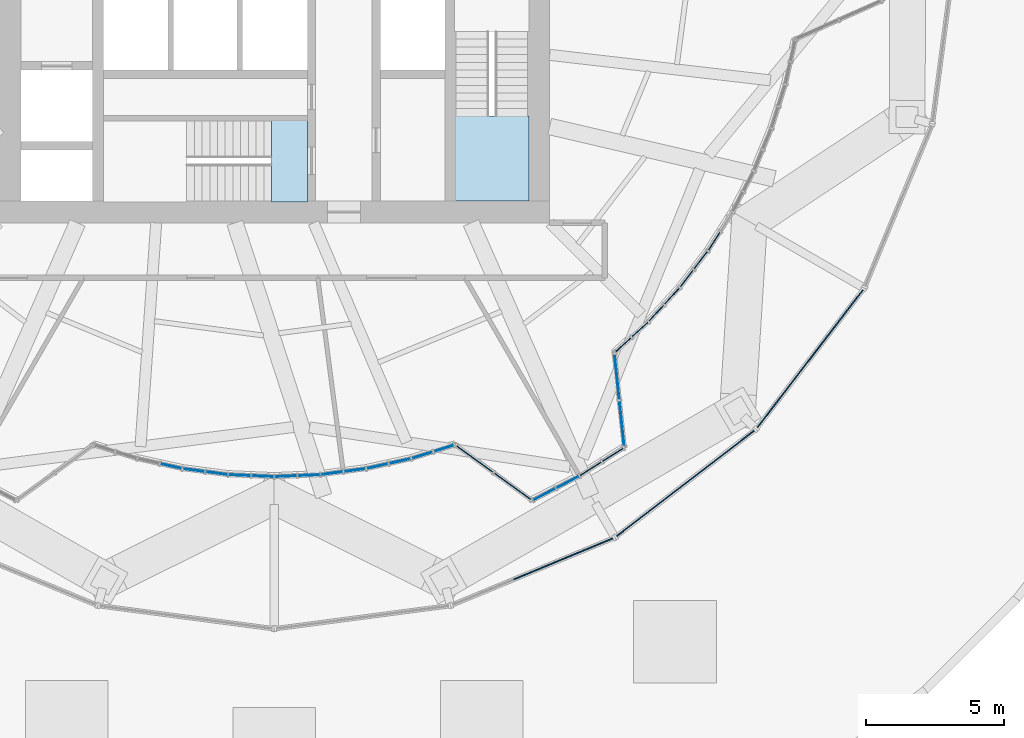
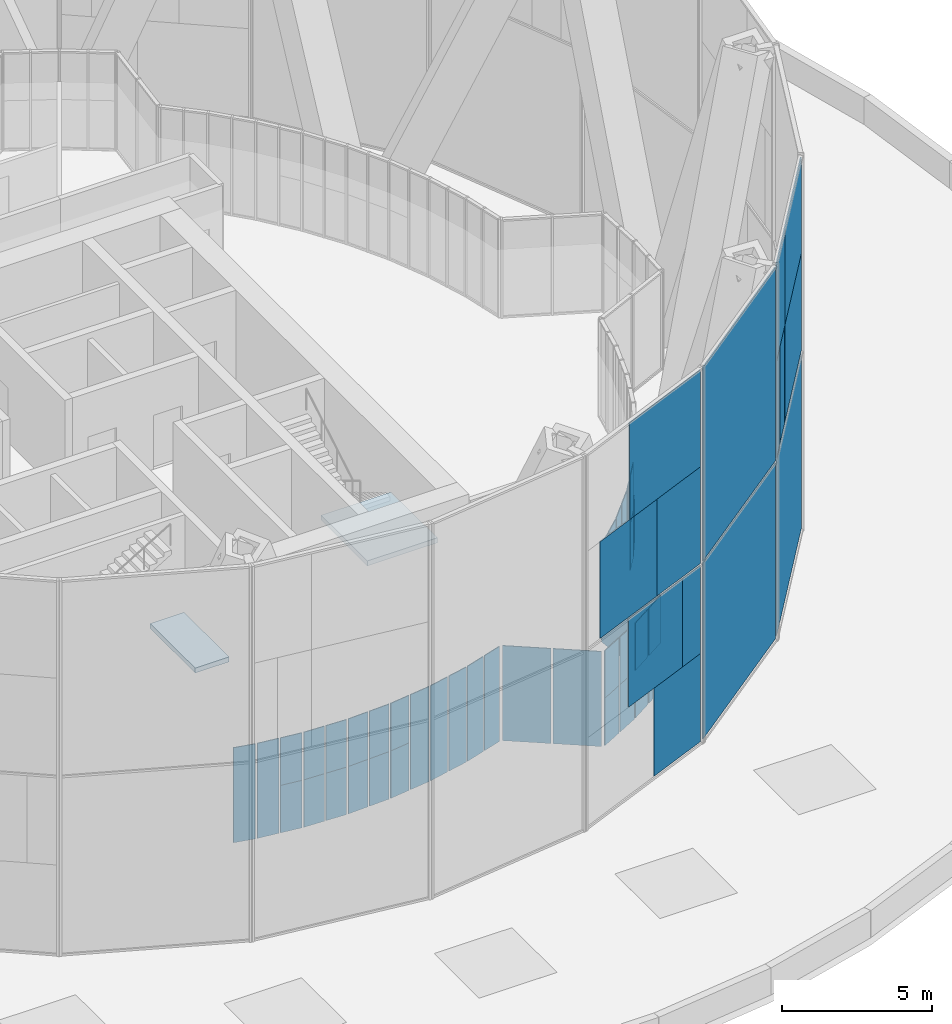
# One storey, part 17 of 27: 53 plates, 2 slabs, 19 elements without a shape of their own.
"""IFC4 building model written with IfcOpenShell, lengths in metres."""

import ifcopenshell
import ifcopenshell.guid

model = None  # the IFC model being written
_history = None  # IfcOwnerHistory: only IFC2X3 demands one
_inside = {}  # id of a spatial element -> (the spatial element, [elements in it])
_under = {}  # id of a project, library or spatial element -> (it, [spatial elements below it])
_declared = {}  # id of a project -> (the project, [libraries it declares])
_typed = {}  # id of a type object -> (the type object, [elements of that type])
_made_of = {}  # id of a material, layer set ... -> (it, [elements and type objects made of it])


def new_model(schema):
    """Start an empty IFC model of exactly this schema.

    Asked for "IFC4X3", IfcOpenShell would pick the latest addendum, in which some entities
    have other attributes; the version numbers below select the first issue.
    IFC2X3 requires an IfcOwnerHistory on every rooted entity: one is made here for all.
    """
    global model, _history
    if schema == "IFC4X3":
        model = ifcopenshell.file(schema_version=(4, 3, 0, 0))
    else:
        model = ifcopenshell.file(schema=schema)
    _inside.clear()
    _under.clear()
    _declared.clear()
    _typed.clear()
    _made_of.clear()
    _history = None
    if model.schema == "IFC2X3":
        org = make("IfcOrganization", Name="unknown")
        user = make(
            "IfcPersonAndOrganization",
            ThePerson=make("IfcPerson", FamilyName="unknown"),
            TheOrganization=org,
        )
        app = make(
            "IfcApplication",
            ApplicationDeveloper=org,
            Version="unknown",
            ApplicationFullName="unknown",
            ApplicationIdentifier="unknown",
        )
        _history = make(
            "IfcOwnerHistory",
            OwningUser=user,
            OwningApplication=app,
            ChangeAction="ADDED",
            CreationDate=0,
        )
    return model


def make(cls, **values):
    """One entity of the class cls with the attributes given. An attribute that is None is left unset."""
    return model.create_entity(
        cls, **{name: value for name, value in values.items() if value is not None}
    )


def rooted(cls, **values):
    """An entity with a GlobalId (a new one), such as an element, a storey or a relation."""
    return make(cls, GlobalId=ifcopenshell.guid.new(), OwnerHistory=_history, **values)


def si_unit(unit_type, name, prefix=None):
    """IfcSIUnit, for example si_unit("LENGTHUNIT", "METRE", prefix="MILLI")."""
    return make("IfcSIUnit", UnitType=unit_type, Prefix=prefix, Name=name)


def assignment(units):
    """IfcUnitAssignment: the units of a project."""
    return None if units is None else make("IfcUnitAssignment", Units=units)


def point(xyz):
    """IfcCartesianPoint."""
    return None if xyz is None else make("IfcCartesianPoint", Coordinates=xyz)


def direction(xyz):
    """IfcDirection."""
    return None if xyz is None else make("IfcDirection", DirectionRatios=xyz)


def frame(location, z_axis=None, x_axis=None):
    """IfcAxis2Placement3D, a coordinate frame: its origin and axes. An axis left out is left unset."""
    return make(
        "IfcAxis2Placement3D",
        Location=point(location),
        Axis=direction(z_axis),
        RefDirection=direction(x_axis),
    )


def frame_2d(location, x_axis=None):
    """IfcAxis2Placement2D, a coordinate frame in the plane: its origin and x axis."""
    return make(
        "IfcAxis2Placement2D", Location=point(location), RefDirection=direction(x_axis)
    )


def origin():
    """The frame at (0, 0, 0) with its axes left unset."""
    return frame((0.0, 0.0, 0.0))


def origin_2d():
    """The frame at (0, 0) in the plane with its x axis left unset."""
    return frame_2d((0.0, 0.0))


def place(relative_to, where):
    """IfcLocalPlacement: puts the frame where relative to a parent placement (None: the world)."""
    return make(
        "IfcLocalPlacement", PlacementRelTo=relative_to, RelativePlacement=where
    )


def context(
    kind, dimensions, precision=None, world=None, true_north=None, identifier=None
):
    """IfcGeometricRepresentationContext, for example the 3D "Model" context."""
    return make(
        "IfcGeometricRepresentationContext",
        ContextIdentifier=identifier,
        ContextType=kind,
        CoordinateSpaceDimension=dimensions,
        Precision=precision,
        WorldCoordinateSystem=world,
        TrueNorth=true_north,
    )


def subcontext(parent, identifier, kind, view, scale=None):
    """IfcGeometricRepresentationSubContext, for example "Body" below "Model"."""
    return make(
        "IfcGeometricRepresentationSubContext",
        ContextIdentifier=identifier,
        ContextType=kind,
        ParentContext=parent,
        TargetScale=scale,
        TargetView=view,
    )


def project(units=None, contexts=None):
    """IfcProject with its units and contexts."""
    return rooted(
        "IfcProject",
        Name="project",
        RepresentationContexts=contexts,
        UnitsInContext=assignment(units),
    )


def spatial(cls, under=None, at=None, **own):
    """A site, building, storey or space (cls), placed at a placement, below another one or the project."""
    s = rooted(cls, ObjectPlacement=at, **own)
    if under is not None:
        _under.setdefault(under.id(), (under, []))[1].append(s)
    return s


def polyline(points):
    """IfcPolyline through the points."""
    return make("IfcPolyline", Points=[point(p) for p in points])


def profile(cls, at=None, kind="AREA", **sizes):
    """A parametric profile (cls). Its sizes go by their IFC names, for example OverallWidth=200.0."""
    return make(cls, ProfileType=kind, Position=at, **sizes)


def rectangle(**sizes):
    """IfcRectangleProfileDef."""
    return profile("IfcRectangleProfileDef", **sizes)


def outline(outer, holes=None, kind="AREA"):
    """IfcArbitraryClosedProfileDef: a profile drawn as a closed curve; with holes, ...WithVoids."""
    if holes is None:
        return make("IfcArbitraryClosedProfileDef", ProfileType=kind, OuterCurve=outer)
    return make(
        "IfcArbitraryProfileDefWithVoids",
        ProfileType=kind,
        OuterCurve=outer,
        InnerCurves=holes,
    )


def extrude(swept, where, along, depth):
    """IfcExtrudedAreaSolid: the profile swept, set in the frame where, extruded along a direction by depth."""
    return make(
        "IfcExtrudedAreaSolid",
        SweptArea=swept,
        Position=where,
        ExtrudedDirection=direction(along),
        Depth=depth,
    )


def shape(context_of_items, identifier, shape_type, items):
    """IfcShapeRepresentation: the items that make up one representation, for example the "Body"."""
    return make(
        "IfcShapeRepresentation",
        ContextOfItems=context_of_items,
        RepresentationIdentifier=identifier,
        RepresentationType=shape_type,
        Items=items,
    )


def material(Name=None, Category=None):
    """IfcMaterial."""
    return make("IfcMaterial", Name=Name, Category=Category)


def layer(
    of_material, thickness, ventilated=None, Name=None, Category=None, Priority=None
):
    """IfcMaterialLayer: one layer of a wall or slab, of a material (None: an air gap)."""
    return make(
        "IfcMaterialLayer",
        Material=of_material,
        LayerThickness=thickness,
        IsVentilated=ventilated,
        Name=Name,
        Category=Category,
        Priority=Priority,
    )


def layer_set(layers, Name=None):
    """IfcMaterialLayerSet."""
    return make("IfcMaterialLayerSet", MaterialLayers=layers, LayerSetName=Name)


def made_of(thing, what):
    """Note that an element or type object is made of a material, layer set ...; save() writes the relation."""
    if what is not None:
        _made_of.setdefault(what.id(), (what, []))[1].append(thing)
    return thing


def type_object(cls, material=None, **own):
    """A type object (cls), such as IfcWallType, which elements share."""
    return made_of(rooted(cls, **own), material)


def element(
    cls,
    number,
    at=None,
    inside=None,
    cuts=None,
    type_object=None,
    material=None,
    context=None,
    identifier="Body",
    shape_type=None,
    held_by="IfcProductDefinitionShape",
    body=None,
    shapes=None,
    **own,
):
    """One element of the class cls, such as IfcWall. Its Tag is "e" and its number.

    at: its placement. inside: the storey or other place that contains it. cuts: it is an
    opening in that element (IfcRelVoidsElement). A single representation is given by context,
    identifier, shape_type and body (its items); several are given by shapes. held_by: the class
    of the entity that holds the representations. save() writes the other relations.
    """
    e = rooted(cls, Tag="e%d" % number, ObjectPlacement=at, **own)
    if body is not None:
        shapes = [shape(context, identifier, shape_type, body)]
    if shapes is not None:
        e.Representation = make(held_by, Representations=shapes)
    if inside is not None:
        _inside.setdefault(inside.id(), (inside, []))[1].append(e)
    if cuts is not None:
        rooted(
            "IfcRelVoidsElement", RelatingBuildingElement=cuts, RelatedOpeningElement=e
        )
    if type_object is not None:
        _typed.setdefault(type_object.id(), (type_object, []))[1].append(e)
    return made_of(e, material)


def aggregate(whole, parts):
    """IfcRelAggregates: a whole, such as a stair, and the parts it consists of."""
    return rooted("IfcRelAggregates", RelatingObject=whole, RelatedObjects=parts)


def save(model, path):
    """Write the relations noted so far, then the file.

    IfcRelAggregates (storeys below a building ...), IfcRelContainedInSpatialStructure (elements
    in a storey), IfcRelDefinesByType, IfcRelAssociatesMaterial and IfcRelDeclares: one each for
    every whole, place, type object, material and project.
    """
    for whole, parts in _under.values():
        aggregate(whole, parts)
    for where, things in _inside.values():
        rooted(
            "IfcRelContainedInSpatialStructure",
            RelatedElements=things,
            RelatingStructure=where,
        )
    for kind, things in _typed.values():
        rooted("IfcRelDefinesByType", RelatedObjects=things, RelatingType=kind)
    for what, things in _made_of.values():
        rooted("IfcRelAssociatesMaterial", RelatedObjects=things, RelatingMaterial=what)
    for by, libraries in _declared.values():
        rooted("IfcRelDeclares", RelatingContext=by, RelatedDefinitions=libraries)
    model.write(path)


model = new_model("IFC4")

# Units and contexts
model_context = context("Model", 3, precision=1e-05, world=origin(), true_north=direction((0.0, 1.0)))
body_context = subcontext(model_context, "Body", "Model", "MODEL_VIEW")
ifc_project = project(units=[si_unit("LENGTHUNIT", "METRE"), si_unit("AREAUNIT", "SQUARE_METRE"), si_unit("VOLUMEUNIT", "CUBIC_METRE"), si_unit("PLANEANGLEUNIT", "RADIAN"), si_unit("MASSUNIT", "GRAM", prefix="KILO")], contexts=[model_context])

# Site, building, storey
site_placement = place(None, origin())
site = spatial("IfcSite", under=ifc_project, at=site_placement, CompositionType="ELEMENT")
building_placement = place(site_placement, origin())
building = spatial("IfcBuilding", under=site, at=building_placement, Name="Golbaran Civic Tower", CompositionType="ELEMENT")
storey_placement = place(building_placement, frame((0.0, 0.0, 21.0)))
storey = spatial("IfcBuildingStorey", under=building, at=storey_placement, Name="L04", CompositionType="ELEMENT", Elevation=21.0)

# Curtain wall, plate
ifc_material_1 = material(Name="Aluminium and glass", Category="aluminium")
curtain_wall_type_1 = type_object("IfcCurtainWallType", Name="INNER SKIN CURTAIN WALL", PredefinedType="NOTDEFINED", material=ifc_material_1)
curtain_wall_1_placement = place(storey_placement, origin())
curtain_wall_1 = element("IfcCurtainWall", 1, at=curtain_wall_1_placement, inside=storey, type_object=curtain_wall_type_1, Name="Inner skin L04 facet 52 CW1", ObjectType="INNER SKIN", PredefinedType="USERDEFINED")
ifc_material_2 = material(Name="Clear insulating glass", Category="glass")
ifc_layer_1 = layer(ifc_material_2, 0.031982421875, Name="Clear insulating glass")
ifc_layer_set_1 = layer_set([ifc_layer_1], Name="Clear insulating glass")
plate_type_1 = type_object("IfcPlateType", Name="INNER SKIN CURTAIN WALL GLAZED PANEL", PredefinedType="CURTAIN_PANEL", material=ifc_layer_set_1)
plate_1_placement = place(storey_placement, frame((-3.745849609375, -18.832275390625, 0.06494140625), z_axis=(0.0, 0.0, 1.0), x_axis=(0.976296007124, -0.216439613921, 0.0)))
plate_1 = element("IfcPlate", 2, at=plate_1_placement, type_object=plate_type_1, Name="CW1 panel 2.1", PredefinedType="CURTAIN_PANEL", context=body_context, shape_type="SweptSolid", body=[
    extrude(rectangle(XDim=0.773193359375, YDim=0.031982421875, at=origin_2d()), origin(), (0.0, 0.0, 1.0), 3.8701171875),
])
aggregate(curtain_wall_1, [plate_1])

curtain_wall_2_placement = place(storey_placement, origin())
curtain_wall_2 = element("IfcCurtainWall", 3, at=curtain_wall_2_placement, inside=storey, type_object=curtain_wall_type_1, Name="Inner skin L04 facet 53 CW1", ObjectType="INNER SKIN", PredefinedType="USERDEFINED")
plate_2_placement = place(storey_placement, frame((-2.921142578125, -18.977783203125, 0.06494140625), z_axis=(0.0, 0.0, 1.0), x_axis=(0.991444861351, -0.130526192393, 0.0)))
plate_2 = element("IfcPlate", 4, at=plate_2_placement, type_object=plate_type_1, Name="CW1 panel 1.1", PredefinedType="CURTAIN_PANEL", context=body_context, shape_type="SweptSolid", body=[
    extrude(rectangle(XDim=0.773193359375, YDim=0.031982421875, at=origin_2d()), origin(), (0.0, 0.0, 1.0), 3.8701171875),
])

curtain_wall_3_placement = place(storey_placement, origin())
curtain_wall_3 = element("IfcCurtainWall", 5, at=curtain_wall_3_placement, inside=storey, type_object=curtain_wall_type_1, Name="Inner skin L04 facet 56 CW1", ObjectType="INNER SKIN", PredefinedType="USERDEFINED")
plate_3_placement = place(storey_placement, frame((2.921142578125, -18.977783203125, 0.06494140625), z_axis=(0.0, 0.0, 1.0), x_axis=(0.991444861351, 0.130526192393, 0.0)))
plate_3 = element("IfcPlate", 6, at=plate_3_placement, type_object=plate_type_1, Name="CW1 panel 2.1", PredefinedType="CURTAIN_PANEL", context=body_context, shape_type="SweptSolid", body=[
    extrude(rectangle(XDim=0.773193359375, YDim=0.031982421875, at=origin_2d()), origin(), (0.0, 0.0, 1.0), 3.8701171875),
])

# Curtain wall, plates
curtain_wall_4_placement = place(storey_placement, origin())
curtain_wall_4 = element("IfcCurtainWall", 7, at=curtain_wall_4_placement, inside=storey, type_object=curtain_wall_type_1, Name="Inner skin L04 facet 57 CW1", ObjectType="INNER SKIN", PredefinedType="USERDEFINED")
plate_4_placement = place(storey_placement, frame((3.745849609375, -18.832275390625, 0.06494140625), z_axis=(0.0, 0.0, 1.0), x_axis=(0.976296007124, 0.216439613921, 0.0)))
plate_4 = element("IfcPlate", 8, at=plate_4_placement, type_object=plate_type_1, Name="CW1 panel 1.1", PredefinedType="CURTAIN_PANEL", context=body_context, shape_type="SweptSolid", body=[
    extrude(rectangle(XDim=0.773193359375, YDim=0.031982421875, at=origin_2d()), origin(), (0.0, 0.0, 1.0), 3.8701171875),
])
plate_5_placement = place(storey_placement, frame((4.56396484375, -18.65087890625, 0.06494140625), z_axis=(0.0, 0.0, 1.0), x_axis=(0.976296007124, 0.216439613921, 0.0)))
plate_5 = element("IfcPlate", 9, at=plate_5_placement, type_object=plate_type_1, Name="CW1 panel 2.1", PredefinedType="CURTAIN_PANEL", context=body_context, shape_type="SweptSolid", body=[
    extrude(rectangle(XDim=0.773193359375, YDim=0.031982421875, at=origin_2d()), origin(), (0.0, 0.0, 1.0), 3.8701171875),
])
aggregate(curtain_wall_4, [plate_4, plate_5])

curtain_wall_5_placement = place(storey_placement, origin())
curtain_wall_5 = element("IfcCurtainWall", 10, at=curtain_wall_5_placement, inside=storey, type_object=curtain_wall_type_1, Name="Inner skin L04 facet 58 CW1", ObjectType="INNER SKIN", PredefinedType="USERDEFINED")
plate_6_placement = place(storey_placement, frame((5.372802734375, -18.434326171875, 0.06494140625), z_axis=(0.0, 0.0, 1.0), x_axis=(0.953716950685, 0.300705799704, 0.0)))
plate_6 = element("IfcPlate", 11, at=plate_6_placement, type_object=plate_type_1, Name="CW1 panel 1.1", PredefinedType="CURTAIN_PANEL", context=body_context, shape_type="SweptSolid", body=[
    extrude(rectangle(XDim=0.773193359375, YDim=0.031982421875, at=origin_2d()), origin(), (0.0, 0.0, 1.0), 3.8701171875),
])
plate_7_placement = place(storey_placement, frame((6.15673828125, -18.18701171875, 0.06494140625), z_axis=(0.0, 0.0, 1.0), x_axis=(0.953716950685, 0.300705799704, 0.0)))
plate_7 = element("IfcPlate", 12, at=plate_7_placement, type_object=plate_type_1, Name="CW1 panel 2.1", PredefinedType="CURTAIN_PANEL", context=body_context, shape_type="SweptSolid", body=[
    extrude(rectangle(XDim=0.74072265625, YDim=0.031982421875, at=origin_2d()), origin(), (0.0, 0.0, 1.0), 3.8701171875),
])
aggregate(curtain_wall_5, [plate_6, plate_7])

curtain_wall_6_placement = place(storey_placement, origin())
curtain_wall_6 = element("IfcCurtainWall", 13, at=curtain_wall_6_placement, inside=storey, type_object=curtain_wall_type_1, Name="Inner skin L04 facet 59 CW1", ObjectType="INNER SKIN", PredefinedType="USERDEFINED")
plate_8_placement = place(storey_placement, frame((7.283447265625, -18.57275390625, 0.06494140625), z_axis=(0.0, 0.0, 1.0), x_axis=(0.809274136458, -0.587431163679, 0.0)))
plate_8 = element("IfcPlate", 14, at=plate_8_placement, type_object=plate_type_1, Name="CW1 panel 1.1", PredefinedType="CURTAIN_PANEL", context=body_context, shape_type="SweptSolid", body=[
    extrude(rectangle(XDim=1.62841796875, YDim=0.031982421875, at=origin_2d()), origin(), (0.0, 0.0, 1.0), 3.8701171875),
])
plate_9_placement = place(storey_placement, frame((8.65380859375, -19.5673828125, 0.06494140625), z_axis=(0.0, 0.0, 1.0), x_axis=(0.809274136458, -0.587431163679, 0.0)))
plate_9 = element("IfcPlate", 15, at=plate_9_placement, type_object=plate_type_1, Name="CW1 panel 2.1", PredefinedType="CURTAIN_PANEL", context=body_context, shape_type="SweptSolid", body=[
    extrude(rectangle(XDim=1.62841796875, YDim=0.031982421875, at=origin_2d()), origin(), (0.0, 0.0, 1.0), 3.8701171875),
])
aggregate(curtain_wall_6, [plate_8, plate_9])

curtain_wall_7_placement = place(storey_placement, origin())
curtain_wall_7 = element("IfcCurtainWall", 16, at=curtain_wall_7_placement, inside=storey, type_object=curtain_wall_type_1, Name="Inner skin L04 facet 62 CW1", ObjectType="INNER SKIN", PredefinedType="USERDEFINED")
plate_10_placement = place(storey_placement, frame((12.618896484375, -17.278076171875, 0.06494140625), z_axis=(0.0, 0.0, 1.0), x_axis=(-0.104093242509, 0.994567542635, 0.0)))
plate_10 = element("IfcPlate", 17, at=plate_10_placement, type_object=plate_type_1, Name="CW1 panel 1.1", PredefinedType="CURTAIN_PANEL", context=body_context, shape_type="SweptSolid", body=[
    extrude(rectangle(XDim=1.62841796875, YDim=0.031982421875, at=origin_2d()), origin(), (0.0, 0.0, 1.0), 3.8701171875),
])
plate_11_placement = place(storey_placement, frame((12.442626953125, -15.593994140625, 0.06494140625), z_axis=(0.0, 0.0, 1.0), x_axis=(-0.104093242509, 0.994567542635, 0.0)))
plate_11 = element("IfcPlate", 18, at=plate_11_placement, type_object=plate_type_1, Name="CW1 panel 2.1", PredefinedType="CURTAIN_PANEL", context=body_context, shape_type="SweptSolid", body=[
    extrude(rectangle(XDim=1.62841796875, YDim=0.031982421875, at=origin_2d()), origin(), (0.0, 0.0, 1.0), 3.8701171875),
])
aggregate(curtain_wall_7, [plate_10, plate_11])

curtain_wall_8_placement = place(storey_placement, origin())
curtain_wall_8 = element("IfcCurtainWall", 19, at=curtain_wall_8_placement, inside=storey, type_object=curtain_wall_type_1, Name="Inner skin L04 facet 63 CW1", ObjectType="INNER SKIN", PredefinedType="USERDEFINED")
plate_12_placement = place(storey_placement, frame((12.672119140625, -14.425537109375, 0.06494140625), z_axis=(0.0, 0.0, 1.0), x_axis=(0.737277336421, 0.67559020804, 0.0)))
plate_12 = element("IfcPlate", 20, at=plate_12_placement, type_object=plate_type_1, Name="CW1 panel 1.1", PredefinedType="CURTAIN_PANEL", context=body_context, shape_type="SweptSolid", body=[
    extrude(rectangle(XDim=0.74072265625, YDim=0.031982421875, at=origin_2d()), origin(), (0.0, 0.0, 1.0), 3.8701171875),
])
plate_13_placement = place(storey_placement, frame((13.278076171875, -13.8701171875, 0.06494140625), z_axis=(0.0, 0.0, 1.0), x_axis=(0.737277336421, 0.67559020804, 0.0)))
plate_13 = element("IfcPlate", 21, at=plate_13_placement, type_object=plate_type_1, Name="CW1 panel 2.1", PredefinedType="CURTAIN_PANEL", context=body_context, shape_type="SweptSolid", body=[
    extrude(rectangle(XDim=0.773193359375, YDim=0.031982421875, at=origin_2d()), origin(), (0.0, 0.0, 1.0), 3.8701171875),
])
aggregate(curtain_wall_8, [plate_12, plate_13])

curtain_wall_9_placement = place(storey_placement, origin())
curtain_wall_9 = element("IfcCurtainWall", 22, at=curtain_wall_9_placement, inside=storey, type_object=curtain_wall_type_1, Name="Inner skin L04 facet 64 CW1", ObjectType="INNER SKIN", PredefinedType="USERDEFINED")
plate_14_placement = place(storey_placement, frame((13.8701171875, -13.278076171875, 0.06494140625), z_axis=(0.0, 0.0, 1.0), x_axis=(0.67559020804, 0.737277336421, 0.0)))
plate_14 = element("IfcPlate", 23, at=plate_14_placement, type_object=plate_type_1, Name="CW1 panel 1.1", PredefinedType="CURTAIN_PANEL", context=body_context, shape_type="SweptSolid", body=[
    extrude(rectangle(XDim=0.773193359375, YDim=0.031982421875, at=origin_2d()), origin(), (0.0, 0.0, 1.0), 3.8701171875),
])
plate_15_placement = place(storey_placement, frame((14.4365234375, -12.66015625, 0.06494140625), z_axis=(0.0, 0.0, 1.0), x_axis=(0.67559020804, 0.737277336421, 0.0)))
plate_15 = element("IfcPlate", 24, at=plate_15_placement, type_object=plate_type_1, Name="CW1 panel 2.1", PredefinedType="CURTAIN_PANEL", context=body_context, shape_type="SweptSolid", body=[
    extrude(rectangle(XDim=0.773193359375, YDim=0.031982421875, at=origin_2d()), origin(), (0.0, 0.0, 1.0), 3.8701171875),
])
aggregate(curtain_wall_9, [plate_14, plate_15])

# Curtain wall, plate
curtain_wall_10_placement = place(storey_placement, origin())
curtain_wall_10 = element("IfcCurtainWall", 25, at=curtain_wall_10_placement, inside=storey, type_object=curtain_wall_type_1, Name="Inner skin L04 facet 65 CW1", ObjectType="INNER SKIN", PredefinedType="USERDEFINED")
plate_16_placement = place(storey_placement, frame((14.974609375, -12.018798828125, 0.06494140625), z_axis=(0.0, 0.0, 1.0), x_axis=(0.608761428718, 0.793353340514, 0.0)))
plate_16 = element("IfcPlate", 26, at=plate_16_placement, type_object=plate_type_1, Name="CW1 panel 1.1", PredefinedType="CURTAIN_PANEL", context=body_context, shape_type="SweptSolid", body=[
    extrude(rectangle(XDim=0.773193359375, YDim=0.031982421875, at=origin_2d()), origin(), (0.0, 0.0, 1.0), 3.8701171875),
])

# Plate
ifc_material_3 = material(Name="Aluminium faced opaque infill panel", Category="aluminium")
ifc_layer_2 = layer(ifc_material_3, 0.031982421875, Name="Aluminium faced opaque infill panel")
ifc_layer_set_2 = layer_set([ifc_layer_2], Name="Aluminium faced opaque infill panel")
plate_type_2 = type_object("IfcPlateType", Name="INNER SKIN CURTAIN WALL OPAQUE INFILL PANEL", PredefinedType="CURTAIN_PANEL", material=ifc_layer_set_2)
plate_17_placement = place(storey_placement, frame((-2.090087890625, -19.087158203125, 0.06494140625), z_axis=(0.0, 0.0, 1.0), x_axis=(0.991444861351, -0.130526192393, 0.0)))
plate_17 = element("IfcPlate", 27, at=plate_17_placement, type_object=plate_type_2, Name="CW1 infill panel 2.1 part 1", PredefinedType="CURTAIN_PANEL", context=body_context, shape_type="SweptSolid", body=[
    extrude(rectangle(XDim=0.773193359375, YDim=0.031982421875, at=origin_2d()), origin(), (0.0, 0.0, 1.0), 1.93505859375),
])

plate_18_placement = place(storey_placement, frame((-2.090087890625, -19.087158203125, 2.0), z_axis=(0.0, 0.0, 1.0), x_axis=(0.991444861351, -0.130526192393, 0.0)))
plate_18 = element("IfcPlate", 28, at=plate_18_placement, type_object=plate_type_2, Name="CW1 infill panel 2.1 part 2", PredefinedType="CURTAIN_PANEL", context=body_context, shape_type="SweptSolid", body=[
    extrude(rectangle(XDim=0.773193359375, YDim=0.031982421875, at=origin_2d()), origin(), (0.0, 0.0, 1.0), 1.93505859375),
])

aggregate(curtain_wall_2, [plate_2, plate_17, plate_18])

# Curtain wall, plates
curtain_wall_11_placement = place(storey_placement, origin())
curtain_wall_11 = element("IfcCurtainWall", 29, at=curtain_wall_11_placement, inside=storey, type_object=curtain_wall_type_1, Name="Inner skin L04 facet 54 CW1", ObjectType="INNER SKIN", PredefinedType="USERDEFINED")
plate_19_placement = place(storey_placement, frame((-1.256103515625, -19.16015625, 0.06494140625), z_axis=(0.0, 0.0, 1.0), x_axis=(0.999048221586, -0.043619387261, 0.0)))
plate_19 = element("IfcPlate", 30, at=plate_19_placement, type_object=plate_type_2, Name="CW1 infill panel 1.1 part 1", PredefinedType="CURTAIN_PANEL", context=body_context, shape_type="SweptSolid", body=[
    extrude(rectangle(XDim=0.773193359375, YDim=0.031982421875, at=origin_2d()), origin(), (0.0, 0.0, 1.0), 1.93505859375),
])
plate_20_placement = place(storey_placement, frame((-1.256103515625, -19.16015625, 2.0), z_axis=(0.0, 0.0, 1.0), x_axis=(0.999048221586, -0.043619387261, 0.0)))
plate_20 = element("IfcPlate", 31, at=plate_20_placement, type_object=plate_type_2, Name="CW1 infill panel 1.1 part 2", PredefinedType="CURTAIN_PANEL", context=body_context, shape_type="SweptSolid", body=[
    extrude(rectangle(XDim=0.773193359375, YDim=0.031982421875, at=origin_2d()), origin(), (0.0, 0.0, 1.0), 1.93505859375),
])
plate_21_placement = place(storey_placement, frame((-0.418701171875, -19.19677734375, 0.06494140625), z_axis=(0.0, 0.0, 1.0), x_axis=(0.999048221586, -0.043619387261, 0.0)))
plate_21 = element("IfcPlate", 32, at=plate_21_placement, type_object=plate_type_2, Name="CW1 infill panel 2.1 part 1", PredefinedType="CURTAIN_PANEL", context=body_context, shape_type="SweptSolid", body=[
    extrude(rectangle(XDim=0.773193359375, YDim=0.031982421875, at=origin_2d()), origin(), (0.0, 0.0, 1.0), 1.93505859375),
])
plate_22_placement = place(storey_placement, frame((-0.418701171875, -19.19677734375, 2.0), z_axis=(0.0, 0.0, 1.0), x_axis=(0.999048221586, -0.043619387261, 0.0)))
plate_22 = element("IfcPlate", 33, at=plate_22_placement, type_object=plate_type_2, Name="CW1 infill panel 2.1 part 2", PredefinedType="CURTAIN_PANEL", context=body_context, shape_type="SweptSolid", body=[
    extrude(rectangle(XDim=0.773193359375, YDim=0.031982421875, at=origin_2d()), origin(), (0.0, 0.0, 1.0), 1.93505859375),
])
aggregate(curtain_wall_11, [plate_19, plate_20, plate_21, plate_22])

curtain_wall_12_placement = place(storey_placement, origin())
curtain_wall_12 = element("IfcCurtainWall", 34, at=curtain_wall_12_placement, inside=storey, type_object=curtain_wall_type_1, Name="Inner skin L04 facet 55 CW1", ObjectType="INNER SKIN", PredefinedType="USERDEFINED")
plate_23_placement = place(storey_placement, frame((0.418701171875, -19.19677734375, 0.06494140625), z_axis=(0.0, 0.0, 1.0), x_axis=(0.999048221586, 0.043619387261, 0.0)))
plate_23 = element("IfcPlate", 35, at=plate_23_placement, type_object=plate_type_2, Name="CW1 infill panel 1.1 part 1", PredefinedType="CURTAIN_PANEL", context=body_context, shape_type="SweptSolid", body=[
    extrude(rectangle(XDim=0.773193359375, YDim=0.031982421875, at=origin_2d()), origin(), (0.0, 0.0, 1.0), 1.93505859375),
])
plate_24_placement = place(storey_placement, frame((0.418701171875, -19.19677734375, 2.0), z_axis=(0.0, 0.0, 1.0), x_axis=(0.999048221586, 0.043619387261, 0.0)))
plate_24 = element("IfcPlate", 36, at=plate_24_placement, type_object=plate_type_2, Name="CW1 infill panel 1.1 part 2", PredefinedType="CURTAIN_PANEL", context=body_context, shape_type="SweptSolid", body=[
    extrude(rectangle(XDim=0.773193359375, YDim=0.031982421875, at=origin_2d()), origin(), (0.0, 0.0, 1.0), 1.93505859375),
])
plate_25_placement = place(storey_placement, frame((1.256103515625, -19.16015625, 0.06494140625), z_axis=(0.0, 0.0, 1.0), x_axis=(0.999048221586, 0.043619387261, 0.0)))
plate_25 = element("IfcPlate", 37, at=plate_25_placement, type_object=plate_type_2, Name="CW1 infill panel 2.1 part 1", PredefinedType="CURTAIN_PANEL", context=body_context, shape_type="SweptSolid", body=[
    extrude(rectangle(XDim=0.773193359375, YDim=0.031982421875, at=origin_2d()), origin(), (0.0, 0.0, 1.0), 1.93505859375),
])
plate_26_placement = place(storey_placement, frame((1.256103515625, -19.16015625, 2.0), z_axis=(0.0, 0.0, 1.0), x_axis=(0.999048221586, 0.043619387261, 0.0)))
plate_26 = element("IfcPlate", 38, at=plate_26_placement, type_object=plate_type_2, Name="CW1 infill panel 2.1 part 2", PredefinedType="CURTAIN_PANEL", context=body_context, shape_type="SweptSolid", body=[
    extrude(rectangle(XDim=0.773193359375, YDim=0.031982421875, at=origin_2d()), origin(), (0.0, 0.0, 1.0), 1.93505859375),
])
aggregate(curtain_wall_12, [plate_23, plate_24, plate_25, plate_26])

# Plate
plate_27_placement = place(storey_placement, frame((2.090087890625, -19.087158203125, 0.06494140625), z_axis=(0.0, 0.0, 1.0), x_axis=(0.991444861351, 0.130526192393, 0.0)))
plate_27 = element("IfcPlate", 39, at=plate_27_placement, type_object=plate_type_2, Name="CW1 infill panel 1.1 part 1", PredefinedType="CURTAIN_PANEL", context=body_context, shape_type="SweptSolid", body=[
    extrude(rectangle(XDim=0.773193359375, YDim=0.031982421875, at=origin_2d()), origin(), (0.0, 0.0, 1.0), 1.93505859375),
])

plate_28_placement = place(storey_placement, frame((2.090087890625, -19.087158203125, 2.0), z_axis=(0.0, 0.0, 1.0), x_axis=(0.991444861351, 0.130526192393, 0.0)))
plate_28 = element("IfcPlate", 40, at=plate_28_placement, type_object=plate_type_2, Name="CW1 infill panel 1.1 part 2", PredefinedType="CURTAIN_PANEL", context=body_context, shape_type="SweptSolid", body=[
    extrude(rectangle(XDim=0.773193359375, YDim=0.031982421875, at=origin_2d()), origin(), (0.0, 0.0, 1.0), 1.93505859375),
])

aggregate(curtain_wall_3, [plate_27, plate_28, plate_3])

# Curtain wall, plates
curtain_wall_13_placement = place(storey_placement, origin())
curtain_wall_13 = element("IfcCurtainWall", 41, at=curtain_wall_13_placement, inside=storey, type_object=curtain_wall_type_1, Name="Inner skin L04 facet 60 CW1", ObjectType="INNER SKIN", PredefinedType="USERDEFINED")
plate_29_placement = place(storey_placement, frame((9.808349609375, -19.85302734375, 0.06494140625), z_axis=(0.0, 0.0, 1.0), x_axis=(0.88701083317, 0.461748613251, 0.0)))
plate_29 = element("IfcPlate", 42, at=plate_29_placement, type_object=plate_type_2, Name="CW1 infill panel 1.1 part 1", PredefinedType="CURTAIN_PANEL", context=body_context, shape_type="SweptSolid", body=[
    extrude(rectangle(XDim=0.869140625, YDim=0.031982421875, at=origin_2d()), origin(), (0.0, 0.0, 1.0), 1.93505859375),
])
plate_30_placement = place(storey_placement, frame((9.808349609375, -19.85302734375, 2.0), z_axis=(0.0, 0.0, 1.0), x_axis=(0.88701083317, 0.461748613251, 0.0)))
plate_30 = element("IfcPlate", 43, at=plate_30_placement, type_object=plate_type_2, Name="CW1 infill panel 1.1 part 2", PredefinedType="CURTAIN_PANEL", context=body_context, shape_type="SweptSolid", body=[
    extrude(rectangle(XDim=0.869140625, YDim=0.031982421875, at=origin_2d()), origin(), (0.0, 0.0, 1.0), 1.93505859375),
])
plate_31_placement = place(storey_placement, frame((10.6513671875, -19.414306640625, 0.06494140625), z_axis=(0.0, 0.0, 1.0), x_axis=(0.88701083317, 0.461748613251, 0.0)))
plate_31 = element("IfcPlate", 44, at=plate_31_placement, type_object=plate_type_2, Name="CW1 infill panel 2.1 part 1", PredefinedType="CURTAIN_PANEL", context=body_context, shape_type="SweptSolid", body=[
    extrude(rectangle(XDim=0.901611328125, YDim=0.031982421875, at=origin_2d()), origin(), (0.0, 0.0, 1.0), 1.93505859375),
])
plate_32_placement = place(storey_placement, frame((10.6513671875, -19.414306640625, 2.0), z_axis=(0.0, 0.0, 1.0), x_axis=(0.88701083317, 0.461748613251, 0.0)))
plate_32 = element("IfcPlate", 45, at=plate_32_placement, type_object=plate_type_2, Name="CW1 infill panel 2.1 part 2", PredefinedType="CURTAIN_PANEL", context=body_context, shape_type="SweptSolid", body=[
    extrude(rectangle(XDim=0.901611328125, YDim=0.031982421875, at=origin_2d()), origin(), (0.0, 0.0, 1.0), 1.93505859375),
])
aggregate(curtain_wall_13, [plate_29, plate_30, plate_31, plate_32])

curtain_wall_14_placement = place(storey_placement, origin())
curtain_wall_14 = element("IfcCurtainWall", 46, at=curtain_wall_14_placement, inside=storey, type_object=curtain_wall_type_1, Name="Inner skin L04 facet 61 CW1", ObjectType="INNER SKIN", PredefinedType="USERDEFINED")
plate_33_placement = place(storey_placement, frame((11.487548828125, -18.931396484375, 0.06494140625), z_axis=(0.0, 0.0, 1.0), x_axis=(0.843391445747, 0.53729960845, 0.0)))
plate_33 = element("IfcPlate", 47, at=plate_33_placement, type_object=plate_type_2, Name="CW1 infill panel 1.1 part 1", PredefinedType="CURTAIN_PANEL", context=body_context, shape_type="SweptSolid", body=[
    extrude(rectangle(XDim=0.901611328125, YDim=0.031982421875, at=origin_2d()), origin(), (0.0, 0.0, 1.0), 1.93505859375),
])
plate_34_placement = place(storey_placement, frame((11.487548828125, -18.931396484375, 2.0), z_axis=(0.0, 0.0, 1.0), x_axis=(0.843391445747, 0.53729960845, 0.0)))
plate_34 = element("IfcPlate", 48, at=plate_34_placement, type_object=plate_type_2, Name="CW1 infill panel 1.1 part 2", PredefinedType="CURTAIN_PANEL", context=body_context, shape_type="SweptSolid", body=[
    extrude(rectangle(XDim=0.901611328125, YDim=0.031982421875, at=origin_2d()), origin(), (0.0, 0.0, 1.0), 1.93505859375),
])
plate_35_placement = place(storey_placement, frame((12.2890625, -18.4208984375, 0.06494140625), z_axis=(0.0, 0.0, 1.0), x_axis=(0.843391445747, 0.53729960845, 0.0)))
plate_35 = element("IfcPlate", 49, at=plate_35_placement, type_object=plate_type_2, Name="CW1 infill panel 2.1 part 1", PredefinedType="CURTAIN_PANEL", context=body_context, shape_type="SweptSolid", body=[
    extrude(rectangle(XDim=0.869140625, YDim=0.031982421875, at=origin_2d()), origin(), (0.0, 0.0, 1.0), 1.93505859375),
])
plate_36_placement = place(storey_placement, frame((12.2890625, -18.4208984375, 2.0), z_axis=(0.0, 0.0, 1.0), x_axis=(0.843391445747, 0.53729960845, 0.0)))
plate_36 = element("IfcPlate", 50, at=plate_36_placement, type_object=plate_type_2, Name="CW1 infill panel 2.1 part 2", PredefinedType="CURTAIN_PANEL", context=body_context, shape_type="SweptSolid", body=[
    extrude(rectangle(XDim=0.869140625, YDim=0.031982421875, at=origin_2d()), origin(), (0.0, 0.0, 1.0), 1.93505859375),
])
aggregate(curtain_wall_14, [plate_33, plate_34, plate_35, plate_36])

# Plate
plate_37_placement = place(storey_placement, frame((15.48486328125, -11.353759765625, 0.06494140625), z_axis=(0.0, 0.0, 1.0), x_axis=(0.608761428718, 0.793353340514, 0.0)))
plate_37 = element("IfcPlate", 51, at=plate_37_placement, type_object=plate_type_2, Name="CW1 infill panel 2.1 part 1", PredefinedType="CURTAIN_PANEL", context=body_context, shape_type="SweptSolid", body=[
    extrude(rectangle(XDim=0.773193359375, YDim=0.031982421875, at=origin_2d()), origin(), (0.0, 0.0, 1.0), 1.93505859375),
])

plate_38_placement = place(storey_placement, frame((15.48486328125, -11.353759765625, 2.0), z_axis=(0.0, 0.0, 1.0), x_axis=(0.608761428718, 0.793353340514, 0.0)))
plate_38 = element("IfcPlate", 52, at=plate_38_placement, type_object=plate_type_2, Name="CW1 infill panel 2.1 part 2", PredefinedType="CURTAIN_PANEL", context=body_context, shape_type="SweptSolid", body=[
    extrude(rectangle(XDim=0.773193359375, YDim=0.031982421875, at=origin_2d()), origin(), (0.0, 0.0, 1.0), 1.93505859375),
])

aggregate(curtain_wall_10, [plate_16, plate_37, plate_38])

# Curtain wall, plate
curtain_wall_15_placement = place(storey_placement, origin())
curtain_wall_15 = element("IfcCurtainWall", 53, at=curtain_wall_15_placement, inside=storey, type_object=curtain_wall_type_1, Name="Inner skin L04 facet 66 CW1", ObjectType="INNER SKIN", PredefinedType="USERDEFINED")
plate_39_placement = place(storey_placement, frame((15.965087890625, -10.667724609375, 0.06494140625), z_axis=(0.0, 0.0, 1.0), x_axis=(0.537299608597, 0.843391445653, 0.0)))
plate_39 = element("IfcPlate", 54, at=plate_39_placement, type_object=plate_type_2, Name="CW1 infill panel 1.1 part 1", PredefinedType="CURTAIN_PANEL", context=body_context, shape_type="SweptSolid", body=[
    extrude(rectangle(XDim=0.773193359375, YDim=0.031982421875, at=origin_2d()), origin(), (0.0, 0.0, 1.0), 1.93505859375),
])
aggregate(curtain_wall_15, [plate_39])

# Curtain wall, plates
curtain_wall_type_2 = type_object("IfcCurtainWallType", Name="OUTER SKIN TERRACOTTA SCREEN", PredefinedType="NOTDEFINED", material=ifc_material_1)
curtain_wall_16_placement = place(storey_placement, origin())
curtain_wall_16 = element("IfcCurtainWall", 55, at=curtain_wall_16_placement, inside=storey, type_object=curtain_wall_type_2, Name="Outer skin L04 facet 20 CW3", ObjectType="OUTER SKIN", PredefinedType="USERDEFINED")
ifc_material_4 = material(Name="Clear laminated glass", Category="glass")
ifc_layer_3 = layer(ifc_material_4, 0.0400390625, Name="Clear laminated glass")
ifc_layer_set_3 = layer_set([ifc_layer_3], Name="Clear laminated glass")
plate_type_3 = type_object("IfcPlateType", Name="OUTER SKIN CLEAR GLASS PANEL", PredefinedType="CURTAIN_PANEL", material=ifc_layer_set_3)
plate_40_placement = place(storey_placement, frame((11.830322265625, -21.643798828125, 3.6650390625), z_axis=(0.0, 0.0, 1.0), x_axis=(0.923879532538, 0.382683432301, 0.0)))
plate_40 = element("IfcPlate", 56, at=plate_40_placement, type_object=plate_type_3, Name="CW3 panel 1.1 part 5", PredefinedType="CURTAIN_PANEL", context=body_context, shape_type="SweptSolid", body=[
    extrude(rectangle(XDim=1.003173828125, YDim=0.0400390625, at=origin_2d()), origin(), (0.0, 0.0, 1.0), 3.5849609375),
])
plate_41_placement = place(storey_placement, frame((11.184326171875, -21.9111328125, 7.330078125), z_axis=(0.0, 0.0, 1.0), x_axis=(0.923879532538, 0.382683432301, 0.0)))
plate_41 = element("IfcPlate", 57, at=plate_41_placement, type_object=plate_type_3, Name="CW3 panel 1.2 part 3", PredefinedType="CURTAIN_PANEL", context=body_context, shape_type="SweptSolid", body=[
    extrude(rectangle(XDim=2.401123046875, YDim=0.0400390625, at=origin_2d()), origin(), (0.0, 0.0, 1.0), 3.93994140625),
])
plate_42_placement = place(storey_placement, frame((10.48974609375, -22.198974609375, 11.27001953125), z_axis=(0.0, 0.0, 1.0), x_axis=(0.923879532538, 0.382683432301, 0.0)))
plate_42 = element("IfcPlate", 58, at=plate_42_placement, type_object=plate_type_3, Name="CW3 panel 1.2 part 5", PredefinedType="CURTAIN_PANEL", context=body_context, shape_type="SweptSolid", body=[
    extrude(rectangle(XDim=3.905029296875, YDim=0.0400390625, at=origin_2d()), origin(), (0.0, 0.0, 1.0), 3.93994140625),
])

curtain_wall_17_placement = place(storey_placement, origin())
curtain_wall_17 = element("IfcCurtainWall", 59, at=curtain_wall_17_placement, inside=storey, type_object=curtain_wall_type_2, Name="Outer skin L04 facet 22 CW3", ObjectType="OUTER SKIN", PredefinedType="USERDEFINED")
plate_43_placement = place(storey_placement, frame((19.455810546875, -14.928955078125, 0.080078125), z_axis=(0.0, 0.0, 1.0), x_axis=(0.608761428981, 0.793353340312, 0.0)))
plate_43 = element("IfcPlate", 60, at=plate_43_placement, type_object=plate_type_3, Name="CW3 panel 1.1", PredefinedType="CURTAIN_PANEL", context=body_context, shape_type="SweptSolid", body=[
    extrude(rectangle(XDim=6.297119140625, YDim=0.0400390625, at=origin_2d()), origin(), (0.0, 0.0, 1.0), 7.169921875),
])
plate_44_placement = place(storey_placement, frame((17.7998046875, -17.0869140625, 7.330078125), z_axis=(0.0, 0.0, 1.0), x_axis=(0.608761428981, 0.793353340312, 0.0)))
plate_44 = element("IfcPlate", 61, at=plate_44_placement, type_object=plate_type_3, Name="CW3 panel 1.2 part 1", PredefinedType="CURTAIN_PANEL", context=body_context, shape_type="SweptSolid", body=[
    extrude(rectangle(XDim=0.85693359375, YDim=0.0400390625, at=origin_2d()), origin(), (0.0, 0.0, 1.0), 3.93994140625),
])
plate_45_placement = place(storey_placement, frame((20.0888671875, -14.103759765625, 7.330078125), z_axis=(0.0, 0.0, 1.0), x_axis=(0.608761428981, 0.793353340312, 0.0)))
plate_45 = element("IfcPlate", 62, at=plate_45_placement, type_object=plate_type_3, Name="CW3 panel 1.2 part 3", PredefinedType="CURTAIN_PANEL", context=body_context, shape_type="SweptSolid", body=[
    extrude(rectangle(XDim=4.217041015625, YDim=0.0400390625, at=origin_2d()), origin(), (0.0, 0.0, 1.0), 3.93994140625),
])
plate_46_placement = place(storey_placement, frame((20.0888671875, -14.103759765625, 11.27001953125), z_axis=(0.0, 0.0, 1.0), x_axis=(0.608761428981, 0.793353340312, 0.0)))
plate_46 = element("IfcPlate", 63, at=plate_46_placement, type_object=plate_type_3, Name="CW3 panel 1.2 part 5", PredefinedType="CURTAIN_PANEL", context=body_context, shape_type="SweptSolid", body=[
    extrude(rectangle(XDim=4.217041015625, YDim=0.0400390625, at=origin_2d()), origin(), (0.0, 0.0, 1.0), 3.93994140625),
])

# Plate
ifc_material_5 = material(Name="Terracotta baguette screen", Category="masonry")
ifc_layer_4 = layer(ifc_material_5, 0.0400390625, Name="Terracotta baguette screen")
ifc_layer_set_4 = layer_set([ifc_layer_4], Name="Terracotta baguette screen")
plate_type_4 = type_object("IfcPlateType", Name="OUTER SKIN TERRACOTTA INFILL PANEL", PredefinedType="CURTAIN_PANEL", material=ifc_layer_set_4)
plate_47_placement = place(storey_placement, frame((11.11181640625, -21.941162109375, 0.080078125), z_axis=(0.0, 0.0, 1.0), x_axis=(0.923879532538, 0.382683432301, 0.0)))
plate_47 = element("IfcPlate", 64, at=plate_47_placement, type_object=plate_type_4, Name="CW3 infill panel 1.1 part 2", PredefinedType="CURTAIN_PANEL", context=body_context, shape_type="SweptSolid", body=[
    extrude(rectangle(XDim=2.55810546875, YDim=0.0400390625, at=origin_2d()), origin(), (0.0, 0.0, 1.0), 3.5849609375),
])

plate_48_placement = place(storey_placement, frame((10.00634765625, -22.399169921875, 3.6650390625), z_axis=(0.0, 0.0, 1.0), x_axis=(0.923879532538, 0.382683432301, 0.0)))
plate_48 = element("IfcPlate", 65, at=plate_48_placement, type_object=plate_type_4, Name="CW3 infill panel 1.1 part 4", PredefinedType="CURTAIN_PANEL", context=body_context, shape_type="SweptSolid", body=[
    extrude(rectangle(XDim=2.945068359375, YDim=0.0400390625, at=origin_2d()), origin(), (0.0, 0.0, 1.0), 3.5849609375),
])

plate_49_placement = place(storey_placement, frame((8.640380859375, -22.96484375, 7.330078125), z_axis=(0.0, 0.0, 1.0), x_axis=(0.923879532538, 0.382683432301, 0.0)))
plate_49 = element("IfcPlate", 66, at=plate_49_placement, type_object=plate_type_4, Name="CW3 infill panel 1.2 part 2", PredefinedType="CURTAIN_PANEL", context=body_context, shape_type="SweptSolid", body=[
    extrude(rectangle(XDim=3.10595703125, YDim=0.0400390625, at=origin_2d()), origin(), (0.0, 0.0, 1.0), 3.93994140625),
])

aggregate(curtain_wall_16, [plate_47, plate_48, plate_40, plate_49, plate_41, plate_42])

plate_50_placement = place(storey_placement, frame((18.432861328125, -16.26171875, 7.330078125), z_axis=(0.0, 0.0, 1.0), x_axis=(0.608761428981, 0.793353340312, 0.0)))
plate_50 = element("IfcPlate", 67, at=plate_50_placement, type_object=plate_type_4, Name="CW3 infill panel 1.2 part 2", PredefinedType="CURTAIN_PANEL", context=body_context, shape_type="SweptSolid", body=[
    extrude(rectangle(XDim=1.222900390625, YDim=0.0400390625, at=origin_2d()), origin(), (0.0, 0.0, 1.0), 3.93994140625),
])

plate_51_placement = place(storey_placement, frame((18.172119140625, -16.601806640625, 11.27001953125), z_axis=(0.0, 0.0, 1.0), x_axis=(0.608761428981, 0.793353340312, 0.0)))
plate_51 = element("IfcPlate", 68, at=plate_51_placement, type_object=plate_type_4, Name="CW3 infill panel 1.2 part 4", PredefinedType="CURTAIN_PANEL", context=body_context, shape_type="SweptSolid", body=[
    extrude(rectangle(XDim=2.080078125, YDim=0.0400390625, at=origin_2d()), origin(), (0.0, 0.0, 1.0), 3.93994140625),
])

aggregate(curtain_wall_17, [plate_43, plate_44, plate_50, plate_45, plate_51, plate_46])

# Curtain wall, plates
curtain_wall_18_placement = place(storey_placement, origin())
curtain_wall_18 = element("IfcCurtainWall", 69, at=curtain_wall_18_placement, inside=storey, type_object=curtain_wall_type_2, Name="Outer skin L04 facet 21 CW3", ObjectType="OUTER SKIN", PredefinedType="USERDEFINED")
ifc_layer_5 = layer(ifc_material_5, 0.0400390625, Name="Terracotta baguette screen")
ifc_layer_set_5 = layer_set([ifc_layer_5], Name="Terracotta baguette screen")
plate_type_5 = type_object("IfcPlateType", Name="OUTER SKIN TERRACOTTA SCREEN PANEL", PredefinedType="CURTAIN_PANEL", material=ifc_layer_set_5)
plate_52_placement = place(storey_placement, frame((14.928955078125, -19.455810546875, 0.080078125), z_axis=(0.0, 0.0, 1.0), x_axis=(0.793353340312, 0.608761428981, 0.0)))
plate_52 = element("IfcPlate", 70, at=plate_52_placement, type_object=plate_type_5, Name="CW3 terracotta screen panel 1.1", PredefinedType="CURTAIN_PANEL", context=body_context, shape_type="SweptSolid", body=[
    extrude(rectangle(XDim=6.297119140625, YDim=0.0400390625, at=origin_2d()), origin(), (0.0, 0.0, 1.0), 7.169921875),
])
plate_53_placement = place(storey_placement, frame((14.928955078125, -19.455810546875, 7.330078125), z_axis=(0.0, 0.0, 1.0), x_axis=(0.793353340312, 0.608761428981, 0.0)))
plate_53 = element("IfcPlate", 71, at=plate_53_placement, type_object=plate_type_5, Name="CW3 terracotta screen panel 1.2", PredefinedType="CURTAIN_PANEL", context=body_context, shape_type="SweptSolid", body=[
    extrude(rectangle(XDim=6.297119140625, YDim=0.0400390625, at=origin_2d()), origin(), (0.0, 0.0, 1.0), 7.8798828125),
])
aggregate(curtain_wall_18, [plate_52, plate_53])

# Stair, slab
ifc_material_6 = material(Name="Concrete C35/45", Category="concrete")
stair_type = type_object("IfcStairType", Name="EXIT STAIR 2600 x 7450, 4000 RISE", PredefinedType="HALF_TURN_STAIR", material=ifc_material_6)
stair_placement = place(storey_placement, origin())
stair = element("IfcStair", 72, at=stair_placement, inside=storey, type_object=stair_type, Name="Stair S2 L04", PredefinedType="HALF_TURN_STAIR")
ifc_layer_6 = layer(ifc_material_6, 0.199951171875, Name="Concrete C35/45")
ifc_layer_set_6 = layer_set([ifc_layer_6], Name="Concrete C35/45")
slab_type = type_object("IfcSlabType", Name="STAIR LANDING 200", PredefinedType="LANDING", material=ifc_layer_set_6)
slab_1_placement = place(storey_placement, frame((0.0, 0.0, 1.800048828125)))
slab_1 = element("IfcSlab", 73, at=slab_1_placement, type_object=slab_type, Name="ST26074-40 landing 1", PredefinedType="LANDING", context=body_context, shape_type="SweptSolid", body=[
    extrude(outline(polyline([(9.25, -6.125), (9.25, -9.199951171875), (6.550048828125, -9.199951171875), (6.550048828125, -6.125), (9.25, -6.125)])), origin(), (0.0, 0.0, 1.0), 0.199951171875),
])
aggregate(stair, [slab_1])

# Slab
slab_2_placement = place(storey_placement, frame((0.0, 0.0, -0.199951171875)))
element("IfcSlab", 74, at=slab_2_placement, inside=storey, type_object=slab_type, Name="Stair S3 floor landing L04", PredefinedType="LANDING", context=body_context, shape_type="SweptSolid", body=[
    extrude(outline(polyline([(1.199951171875, -9.25), (-0.10498046875, -9.25), (-0.10498046875, -6.25), (1.199951171875, -6.25), (1.199951171875, -9.25)])), origin(), (0.0, 0.0, 1.0), 0.199951171875),
])

save(model, "model.ifc")
